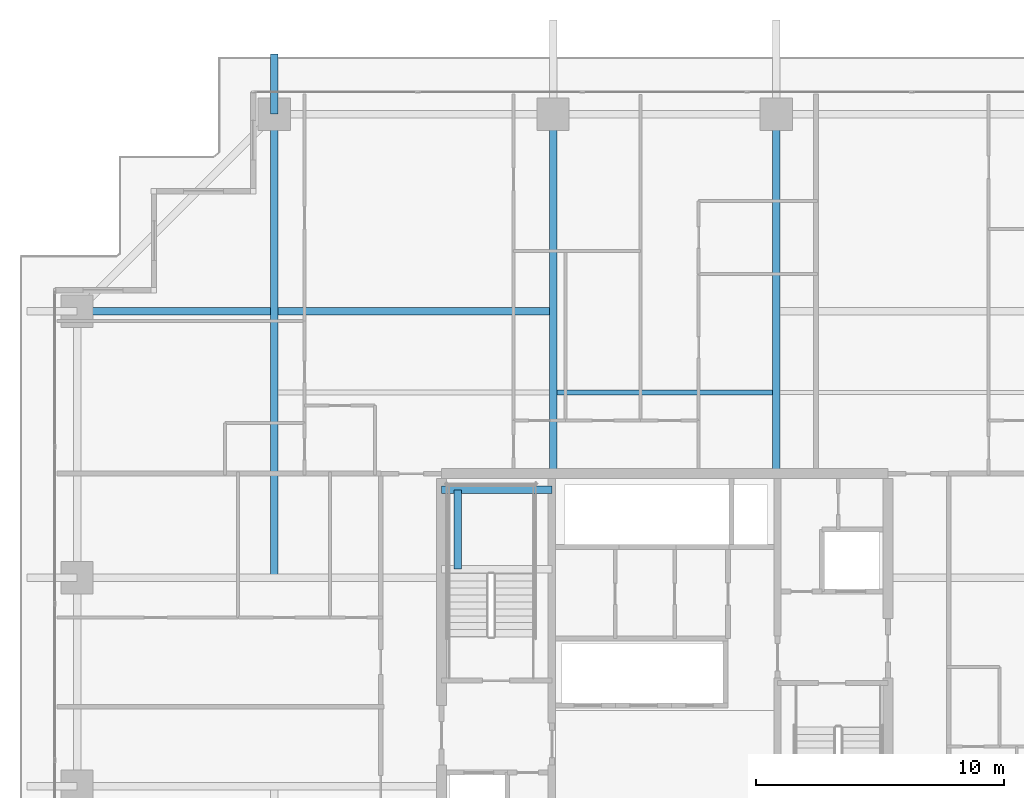
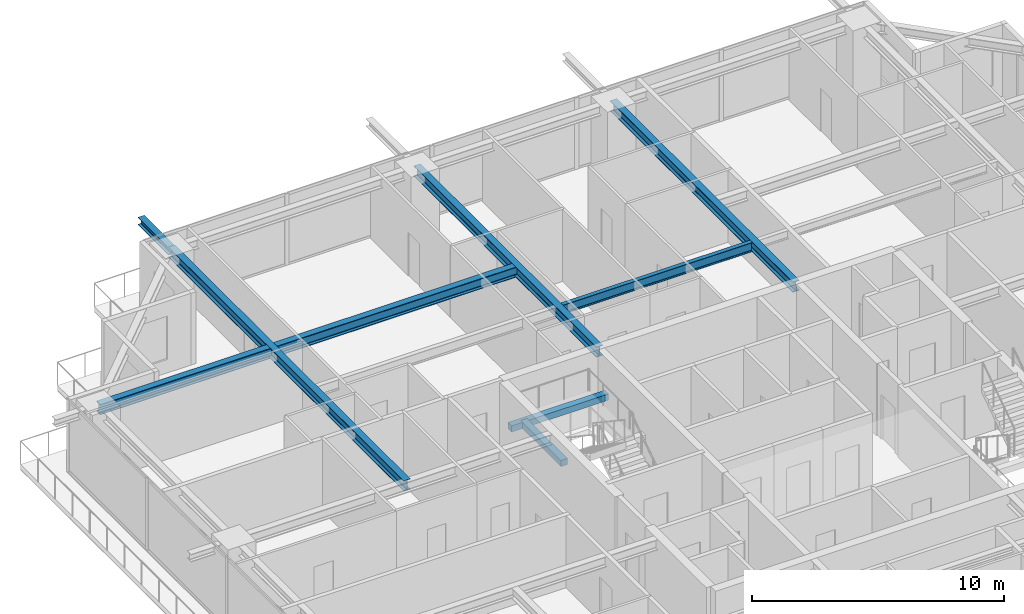
# One storey, part 20 of 38: 8 beams.
"""IFC4 building model written with IfcOpenShell, lengths in metres."""

from ifc_helpers import new_model, si_unit, direction, frame, origin, origin_2d, place, context, subcontext, project, spatial, rectangle, i_section, extrude, source, transform, mapped, material, material_profile, profile_set, type_object, element, save


model = new_model("IFC4")

# Units and contexts
model_context = context("Model", 3, precision=1e-05, world=origin(), true_north=direction((0.0, 1.0)))
body_context = subcontext(model_context, "Body", "Model", "MODEL_VIEW")
ifc_project = project(units=[si_unit("LENGTHUNIT", "METRE"), si_unit("AREAUNIT", "SQUARE_METRE"), si_unit("VOLUMEUNIT", "CUBIC_METRE"), si_unit("PLANEANGLEUNIT", "RADIAN"), si_unit("MASSUNIT", "GRAM", prefix="KILO")], contexts=[model_context])

# Site, building, storey
site_placement = place(None, origin())
site = spatial("IfcSite", under=ifc_project, at=site_placement, CompositionType="ELEMENT")
building_placement = place(site_placement, origin())
building = spatial("IfcBuilding", under=site, at=building_placement, Name="Serunith Strait Residences", CompositionType="ELEMENT")
storey_placement = place(building_placement, frame((0.0, 0.0, 176.39990234375)))
storey = spatial("IfcBuildingStorey", under=building, at=storey_placement, Name="L44", CompositionType="ELEMENT", Elevation=176.39990234375)

# Beams
ifc_material_1 = material(Name="Steel S355J2", Category="steel")
ifc_material_profile_1 = material_profile(ifc_material_1, i_section(OverallWidth=0.18994140625, OverallDepth=0.449951171875, WebThickness=0.009521484375, FlangeThickness=0.0146484375, FilletRadius=0.02099609375, at=origin_2d()), Name="IPE 450")
ifc_profile_set_1 = profile_set([ifc_material_profile_1], Name="Steel S355J2")
beam_type_1 = type_object("IfcBeamType", Name="BM-IPE450", PredefinedType="JOIST", material=ifc_profile_set_1)
shared_shape_1 = source(origin(), body_context, "Body", "SweptSolid", [
    extrude(i_section(OverallWidth=0.18994140625, OverallDepth=0.449951171875, WebThickness=0.009521484375, FlangeThickness=0.0146484375, FilletRadius=0.02099609375, at=origin_2d()), origin(), (0.0, 0.0, 1.0), 8.699951171875),
])
beam_1_placement = place(storey_placement, frame((28.050048828125, 36.875, 3.26220703125), z_axis=(1.0, 0.0, 0.0), x_axis=(0.0, 1.0, 0.0)))
element("IfcBeam", 1, at=beam_1_placement, inside=storey, type_object=beam_type_1, Name="L44 Composite Floor Joist 05", PredefinedType="JOIST", context=body_context, shape_type="MappedRepresentation", body=[
    mapped(shared_shape_1, transform((0.0, 0.0, 0.0), scale=1.0)),
])
ifc_material_profile_2 = material_profile(ifc_material_1, i_section(OverallWidth=0.300048828125, OverallDepth=0.5, WebThickness=0.014404296875, FlangeThickness=0.028076171875, FilletRadius=0.027099609375, at=origin_2d()), Name="HEB 500")
ifc_profile_set_2 = profile_set([ifc_material_profile_2], Name="Steel S355J2")
beam_type_2 = type_object("IfcBeamType", Name="BM-HEB500", PredefinedType="BEAM", material=ifc_profile_set_2)
shared_shape_2 = source(origin(), body_context, "Body", "SweptSolid", [
    extrude(i_section(OverallWidth=0.300048828125, OverallDepth=0.5, WebThickness=0.014404296875, FlangeThickness=0.028076171875, FilletRadius=0.027099609375, at=origin_2d()), origin(), (0.0, 0.0, 1.0), 14.5),
])
for number, where, z_axis, x_axis, name in (
    (2, (27.89990234375, 33.60009765625, 3.237060546875), (0.0, 1.0, 0.0), (-1.0, 0.0, 0.0), "L44 Primary Floor Girder TC-N2"),
    (3, (36.89990234375, 33.60009765625, 3.237060546875), (0.0, 1.0, 0.0), (-1.0, 0.0, 0.0), "L44 Primary Floor Girder TC-N3"),
):
    element("IfcBeam", number, at=place(storey_placement, frame(where, z_axis=z_axis, x_axis=x_axis)), inside=storey, type_object=beam_type_2, Name=name, PredefinedType="BEAM", context=body_context, shape_type="MappedRepresentation", body=[
        mapped(shared_shape_2, transform((0.0, 0.0, 0.0), scale=1.0)),
    ])
shared_shape_3 = source(origin(), body_context, "Body", "SweptSolid", [
    extrude(i_section(OverallWidth=0.300048828125, OverallDepth=0.5, WebThickness=0.014404296875, FlangeThickness=0.028076171875, FilletRadius=0.027099609375, at=origin_2d()), origin(), (0.0, 0.0, 1.0), 18.7001953125),
])
beam_2_placement = place(storey_placement, frame((16.64990234375, 29.39990234375, 3.237060546875), z_axis=(0.0, 1.0, 0.0), x_axis=(-1.0, 0.0, 0.0)))
element("IfcBeam", 4, at=beam_2_placement, inside=storey, type_object=beam_type_2, Name="L44 Orthogonal Corner Girder TC-N1", PredefinedType="BEAM", context=body_context, shape_type="MappedRepresentation", body=[
    mapped(shared_shape_3, transform((0.0, 0.0, 0.0), scale=1.0)),
])
shared_shape_4 = source(origin(), body_context, "Body", "SweptSolid", [
    extrude(i_section(OverallWidth=0.300048828125, OverallDepth=0.5, WebThickness=0.014404296875, FlangeThickness=0.028076171875, FilletRadius=0.027099609375, at=origin_2d()), origin(), (0.0, 0.0, 1.0), 19.199951171875),
])
beam_3_placement = place(storey_placement, frame((27.89990234375, 40.14990234375, 3.237060546875), z_axis=(-1.0, 0.0, 0.0), x_axis=(0.0, -1.0, 0.0)))
element("IfcBeam", 5, at=beam_3_placement, inside=storey, type_object=beam_type_2, Name="L44 Orthogonal Corner Girder TC-W4", PredefinedType="BEAM", context=body_context, shape_type="MappedRepresentation", body=[
    mapped(shared_shape_4, transform((0.0, 0.0, 0.0), scale=1.0)),
])
ifc_material_profile_3 = material_profile(ifc_material_1, i_section(OverallWidth=0.300048828125, OverallDepth=0.360107421875, WebThickness=0.012451171875, FlangeThickness=0.0224609375, FilletRadius=0.027099609375, at=origin_2d()), Name="HEB 360")
ifc_profile_set_3 = profile_set([ifc_material_profile_3], Name="Steel S355J2")
beam_type_3 = type_object("IfcBeamType", Name="BM-HEB360", PredefinedType="BEAM", material=ifc_profile_set_3)
shared_shape_5 = source(origin(), body_context, "Body", "SweptSolid", [
    extrude(i_section(OverallWidth=0.300048828125, OverallDepth=0.360107421875, WebThickness=0.012451171875, FlangeThickness=0.0224609375, FilletRadius=0.027099609375, at=origin_2d()), origin(), (0.0, 0.0, 1.0), 2.425048828125),
])
beam_4_placement = place(storey_placement, frame((16.64990234375, 48.10009765625, 3.277099609375), z_axis=(0.0, 1.0, 0.0), x_axis=(-1.0, 0.0, 0.0)))
element("IfcBeam", 6, at=beam_4_placement, inside=storey, type_object=beam_type_3, Name="L45 Cantilevered Balcony Rib TC-N1", PredefinedType="BEAM", context=body_context, shape_type="MappedRepresentation", body=[
    mapped(shared_shape_5, transform((0.0, 0.0, 0.0), scale=1.0)),
])
ifc_material_2 = material(Name="Concrete C60/75", Category="concrete")
ifc_material_profile_4 = material_profile(ifc_material_2, rectangle(XDim=0.300048828125, YDim=0.300048828125, at=origin_2d()), Name="RC 300x300")
ifc_profile_set_4 = profile_set([ifc_material_profile_4], Name="Concrete C60/75")
beam_type_4 = type_object("IfcBeamType", Name="BM-LAND-300x300", PredefinedType="BEAM", material=ifc_profile_set_4)
shared_shape_6 = source(origin(), body_context, "Body", "SweptSolid", [
    extrude(rectangle(XDim=0.300048828125, YDim=0.300048828125, at=origin_2d()), origin(), (0.0, 0.0, 1.0), 4.4501953125),
])
beam_5_placement = place(storey_placement, frame((23.39990234375, 32.949951171875, 1.525146484375), z_axis=(1.0, 0.0, 0.0), x_axis=(0.0, 1.0, 0.0)))
element("IfcBeam", 7, at=beam_5_placement, inside=storey, type_object=beam_type_4, Name="L44 ST-1 Landing Support Beam 2", PredefinedType="BEAM", context=body_context, shape_type="MappedRepresentation", body=[
    mapped(shared_shape_6, transform((0.0, 0.0, 0.0), scale=1.0)),
])
shared_shape_7 = source(origin(), body_context, "Body", "SweptSolid", [
    extrude(rectangle(XDim=0.300048828125, YDim=0.300048828125, at=origin_2d()), origin(), (0.0, 0.0, 1.0), 3.199951171875),
])
beam_6_placement = place(storey_placement, frame((24.050048828125, 29.75, 1.525146484375), z_axis=(0.0, 1.0, 0.0), x_axis=(-1.0, 0.0, 0.0)))
element("IfcBeam", 8, at=beam_6_placement, inside=storey, type_object=beam_type_4, Name="L44 ST-1 Landing Transverse Tie Beam", PredefinedType="BEAM", context=body_context, shape_type="MappedRepresentation", body=[
    mapped(shared_shape_7, transform((0.0, 0.0, 0.0), scale=1.0)),
])

save(model, "model.ifc")
